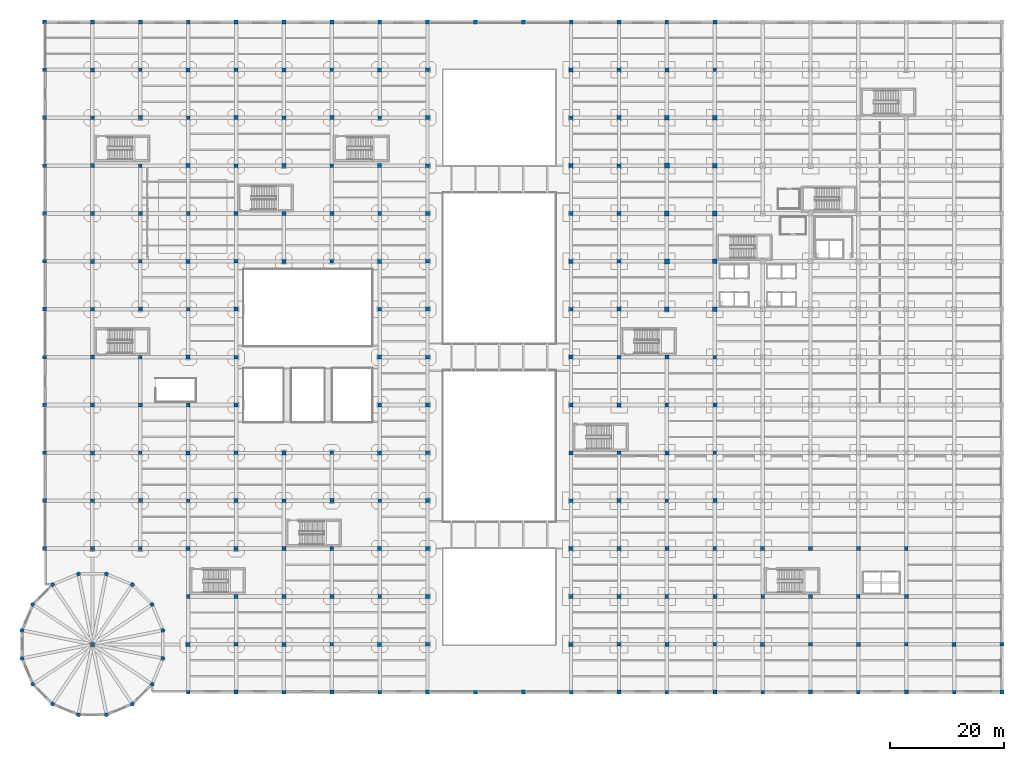
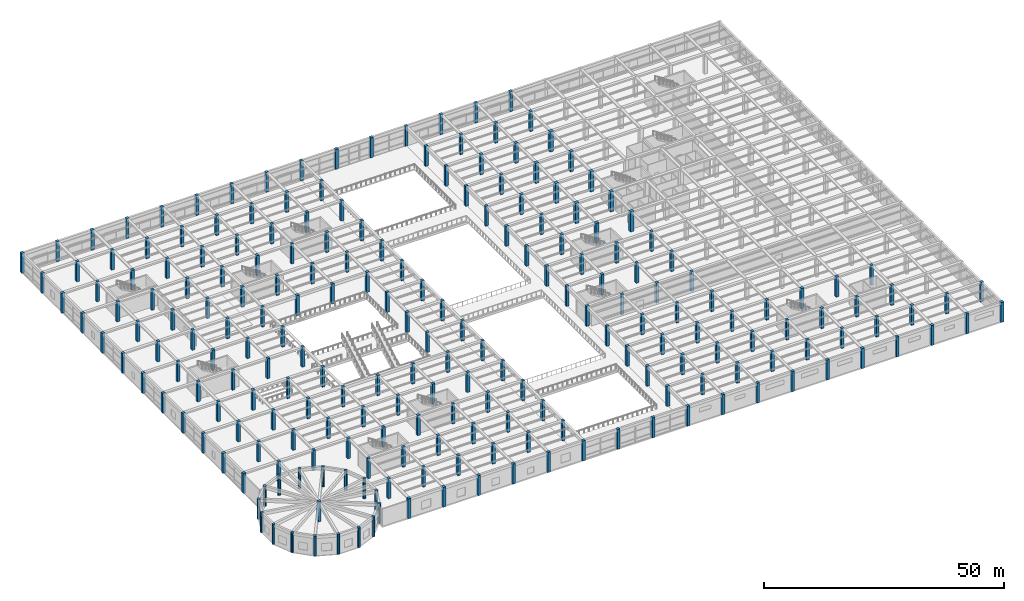
# One storey, part 1 of 65: 221 columns.
"""IFC4 building model written with IfcOpenShell, lengths in metres."""

from ifc_helpers import new_model, si_unit, direction, frame, origin, origin_2d, place, context, subcontext, project, spatial, rectangle, circle, extrude, material, material_profile, profile_set, type_object, element, save


model = new_model("IFC4")

# Units and contexts
model_context = context("Model", 3, precision=1e-05, world=origin(), true_north=direction((0.0, 1.0)))
body_context = subcontext(model_context, "Body", "Model", "MODEL_VIEW")
ifc_project = project(units=[si_unit("LENGTHUNIT", "METRE"), si_unit("AREAUNIT", "SQUARE_METRE"), si_unit("VOLUMEUNIT", "CUBIC_METRE"), si_unit("PLANEANGLEUNIT", "RADIAN"), si_unit("MASSUNIT", "GRAM", prefix="KILO")], contexts=[model_context])

# Site, building, storey
site_placement = place(None, origin())
site = spatial("IfcSite", under=ifc_project, at=site_placement, CompositionType="ELEMENT")
building_placement = place(site_placement, origin())
building = spatial("IfcBuilding", under=site, at=building_placement, Name="Almacenes y Pasaje Nevantli", CompositionType="ELEMENT")
storey_placement = place(building_placement, frame((0.0, 0.0, 16.800048828125)))
storey = spatial("IfcBuildingStorey", under=building, at=storey_placement, Name="L04", CompositionType="ELEMENT", Elevation=16.800048828125)

# Columns
ifc_material_1 = material(Name="Concrete C45/55", Category="concrete")
ifc_material_profile_1 = material_profile(ifc_material_1, rectangle(XDim=0.64990234375, YDim=0.64990234375, at=origin_2d()), Name="RC-COL-650x650")
ifc_profile_set_1 = profile_set([ifc_material_profile_1], Name="Concrete C45/55")
column_type_1 = type_object("IfcColumnType", Name="COL-RC-650", PredefinedType="COLUMN", material=ifc_profile_set_1)
for number, where, z_axis, x_axis, name in (
    (1, (0.0, 25.199951171875, 0.0), (0.0, 0.0, 1.0), (1.0, 0.0, 0.0), "L04 Reinforced Concrete Column CL-07 #1571"),
    (2, (0.0, 42.0, 0.0), (0.0, 0.0, 1.0), (1.0, 0.0, 0.0), "L04 Reinforced Concrete Column CL-07 #1573"),
    (3, (0.0, 58.800048828125, 0.0), (0.0, 0.0, 1.0), (1.0, 0.0, 0.0), "L04 Reinforced Concrete Column CL-07 #1575"),
    (4, (0.0, 75.60009765625, 0.0), (0.0, 0.0, 1.0), (1.0, 0.0, 0.0), "L04 Reinforced Concrete Column CL-07 #1577"),
    (5, (0.0, 92.39990234375, 0.0), (0.0, 0.0, 1.0), (1.0, 0.0, 0.0), "L04 Reinforced Concrete Column CL-07 #1579"),
    (6, (0.0, 109.199951171875, 0.0), (0.0, 0.0, 1.0), (1.0, 0.0, 0.0), "L04 Reinforced Concrete Column CL-07 #1581"),
    (7, (8.39990234375, 33.60009765625, 0.0), (0.0, 0.0, 1.0), (1.0, 0.0, 0.0), "L04 Reinforced Concrete Column CL-07 #1585"),
    (8, (8.39990234375, 50.39990234375, 0.0), (0.0, 0.0, 1.0), (1.0, 0.0, 0.0), "L04 Reinforced Concrete Column CL-07 #1587"),
    (9, (8.39990234375, 67.199951171875, 0.0), (0.0, 0.0, 1.0), (1.0, 0.0, 0.0), "L04 Reinforced Concrete Column CL-07 #1589"),
    (10, (8.39990234375, 84.0, 0.0), (0.0, 0.0, 1.0), (1.0, 0.0, 0.0), "L04 Reinforced Concrete Column CL-07 #1591"),
    (11, (8.39990234375, 100.800048828125, 0.0), (0.0, 0.0, 1.0), (1.0, 0.0, 0.0), "L04 Reinforced Concrete Column CL-07 #1593"),
    (12, (8.39990234375, 117.60009765625, 0.0), (0.0, 0.0, 1.0), (1.0, 0.0, 0.0), "L04 Reinforced Concrete Column CL-07 #1595"),
    (13, (16.800048828125, 25.199951171875, 0.0), (0.0, 0.0, 1.0), (1.0, 0.0, 0.0), "L04 Reinforced Concrete Column CL-07 #1596"),
    (14, (16.800048828125, 42.0, 0.0), (0.0, 0.0, 1.0), (1.0, 0.0, 0.0), "L04 Reinforced Concrete Column CL-07 #1598"),
    (15, (16.800048828125, 58.800048828125, 0.0), (0.0, 0.0, 1.0), (1.0, 0.0, 0.0), "L04 Reinforced Concrete Column CL-07 #1600"),
    (16, (16.800048828125, 75.60009765625, 0.0), (0.0, 0.0, 1.0), (1.0, 0.0, 0.0), "L04 Reinforced Concrete Column CL-07 #1602"),
    (17, (16.800048828125, 92.39990234375, 0.0), (0.0, 0.0, 1.0), (1.0, 0.0, 0.0), "L04 Reinforced Concrete Column CL-07 #1604"),
    (18, (16.800048828125, 109.199951171875, 0.0), (0.0, 0.0, 1.0), (1.0, 0.0, 0.0), "L04 Reinforced Concrete Column CL-07 #1606"),
    (19, (25.199951171875, 0.0, 0.0), (0.0, 0.0, 1.0), (1.0, 0.0, 0.0), "L04 Reinforced Concrete Column CL-07 #1608"),
    (20, (25.199951171875, 16.800048828125, 0.0), (0.0, 0.0, 1.0), (1.0, 0.0, 0.0), "L04 Reinforced Concrete Column CL-07 #1610"),
    (21, (25.199951171875, 33.60009765625, 0.0), (0.0, 0.0, 1.0), (1.0, 0.0, 0.0), "L04 Reinforced Concrete Column CL-07 #1612"),
    (22, (25.199951171875, 50.39990234375, 0.0), (0.0, 0.0, 1.0), (1.0, 0.0, 0.0), "L04 Reinforced Concrete Column CL-07 #1614"),
    (23, (25.199951171875, 67.199951171875, 0.0), (0.0, 0.0, 1.0), (1.0, 0.0, 0.0), "L04 Reinforced Concrete Column CL-07 #1616"),
    (24, (25.199951171875, 84.0, 0.0), (0.0, 0.0, 1.0), (1.0, 0.0, 0.0), "L04 Reinforced Concrete Column CL-07 #1618"),
    (25, (25.199951171875, 100.800048828125, 0.0), (0.0, 0.0, 1.0), (1.0, 0.0, 0.0), "L04 Reinforced Concrete Column CL-07 #1620"),
    (26, (25.199951171875, 117.60009765625, 0.0), (0.0, 0.0, 1.0), (1.0, 0.0, 0.0), "L04 Reinforced Concrete Column CL-07 #1622"),
    (27, (33.60009765625, 8.39990234375, 0.0), (0.0, 0.0, 1.0), (1.0, 0.0, 0.0), "L04 Reinforced Concrete Column CL-07 #1624"),
    (28, (33.60009765625, 25.199951171875, 0.0), (0.0, 0.0, 1.0), (1.0, 0.0, 0.0), "L04 Reinforced Concrete Column CL-07 #1626"),
    (29, (33.60009765625, 42.0, 0.0), (0.0, 0.0, 1.0), (1.0, 0.0, 0.0), "L04 Reinforced Concrete Column CL-07 #1628"),
    (30, (33.60009765625, 58.800048828125, 0.0), (0.0, 0.0, 1.0), (1.0, 0.0, 0.0), "L04 Reinforced Concrete Column CL-07 #1630"),
    (31, (33.60009765625, 75.60009765625, 0.0), (0.0, 0.0, 1.0), (1.0, 0.0, 0.0), "L04 Reinforced Concrete Column CL-07 #1632"),
    (32, (33.60009765625, 92.39990234375, 0.0), (0.0, 0.0, 1.0), (1.0, 0.0, 0.0), "L04 Reinforced Concrete Column CL-07 #1634"),
    (33, (33.60009765625, 109.199951171875, 0.0), (0.0, 0.0, 1.0), (1.0, 0.0, 0.0), "L04 Reinforced Concrete Column CL-07 #1636"),
    (34, (42.0, 0.0, 0.0), (0.0, 0.0, 1.0), (1.0, 0.0, 0.0), "L04 Reinforced Concrete Column CL-07 #1638"),
    (35, (42.0, 16.800048828125, 0.0), (0.0, 0.0, 1.0), (1.0, 0.0, 0.0), "L04 Reinforced Concrete Column CL-07 #1640"),
    (36, (42.0, 33.60009765625, 0.0), (0.0, 0.0, 1.0), (1.0, 0.0, 0.0), "L04 Reinforced Concrete Column CL-07 #1642"),
    (37, (42.0, 84.0, 0.0), (0.0, 0.0, 1.0), (1.0, 0.0, 0.0), "L04 Reinforced Concrete Column CL-07 #1645"),
    (38, (42.0, 100.800048828125, 0.0), (0.0, 0.0, 1.0), (1.0, 0.0, 0.0), "L04 Reinforced Concrete Column CL-07 #1647"),
    (39, (42.0, 117.60009765625, 0.0), (0.0, 0.0, 1.0), (1.0, 0.0, 0.0), "L04 Reinforced Concrete Column CL-07 #1649"),
    (40, (50.39990234375, 8.39990234375, 0.0), (0.0, 0.0, 1.0), (1.0, 0.0, 0.0), "L04 Reinforced Concrete Column CL-07 #1651"),
    (41, (50.39990234375, 25.199951171875, 0.0), (0.0, 0.0, 1.0), (1.0, 0.0, 0.0), "L04 Reinforced Concrete Column CL-07 #1653"),
    (42, (50.39990234375, 42.0, 0.0), (0.0, 0.0, 1.0), (1.0, 0.0, 0.0), "L04 Reinforced Concrete Column CL-07 #1655"),
    (43, (50.39990234375, 75.60009765625, 0.0), (0.0, 0.0, 1.0), (1.0, 0.0, 0.0), "L04 Reinforced Concrete Column CL-07 #1656"),
    (44, (50.39990234375, 92.39990234375, 0.0), (0.0, 0.0, 1.0), (1.0, 0.0, 0.0), "L04 Reinforced Concrete Column CL-07 #1658"),
    (45, (50.39990234375, 109.199951171875, 0.0), (0.0, 0.0, 1.0), (1.0, 0.0, 0.0), "L04 Reinforced Concrete Column CL-07 #1660"),
    (46, (58.800048828125, 0.0, 0.0), (0.0, 0.0, 1.0), (1.0, 0.0, 0.0), "L04 Reinforced Concrete Column CL-07 #1662"),
    (47, (58.800048828125, 16.800048828125, 0.0), (0.0, 0.0, 1.0), (1.0, 0.0, 0.0), "L04 Reinforced Concrete Column CL-07 #1664"),
    (48, (58.800048828125, 33.60009765625, 0.0), (0.0, 0.0, 1.0), (1.0, 0.0, 0.0), "L04 Reinforced Concrete Column CL-07 #1666"),
    (49, (58.800048828125, 50.39990234375, 0.0), (0.0, 0.0, 1.0), (1.0, 0.0, 0.0), "L04 Reinforced Concrete Column CL-07 #1668"),
    (50, (58.800048828125, 67.199951171875, 0.0), (0.0, 0.0, 1.0), (1.0, 0.0, 0.0), "L04 Reinforced Concrete Column CL-07 #1670"),
    (51, (58.800048828125, 84.0, 0.0), (0.0, 0.0, 1.0), (1.0, 0.0, 0.0), "L04 Reinforced Concrete Column CL-07 #1672"),
    (52, (58.800048828125, 100.800048828125, 0.0), (0.0, 0.0, 1.0), (1.0, 0.0, 0.0), "L04 Reinforced Concrete Column CL-07 #1674"),
    (53, (58.800048828125, 117.60009765625, 0.0), (0.0, 0.0, 1.0), (1.0, 0.0, 0.0), "L04 Reinforced Concrete Column CL-07 #1676"),
    (54, (67.199951171875, 8.39990234375, 0.0), (0.0, 0.0, 1.0), (1.0, 0.0, 0.0), "L04 Reinforced Concrete Column CL-07 #1678"),
    (55, (67.199951171875, 25.199951171875, 0.0), (0.0, 0.0, 1.0), (1.0, 0.0, 0.0), "L04 Reinforced Concrete Column CL-07 #1680"),
    (56, (67.199951171875, 42.0, 0.0), (0.0, 0.0, 1.0), (1.0, 0.0, 0.0), "L04 Reinforced Concrete Column CL-07 #1682"),
    (57, (67.199951171875, 58.800048828125, 0.0), (0.0, 0.0, 1.0), (1.0, 0.0, 0.0), "L04 Reinforced Concrete Column CL-07 #1684"),
    (58, (67.199951171875, 75.60009765625, 0.0), (0.0, 0.0, 1.0), (1.0, 0.0, 0.0), "L04 Reinforced Concrete Column CL-07 #1686"),
    (59, (67.199951171875, 92.39990234375, 0.0), (0.0, 0.0, 1.0), (1.0, 0.0, 0.0), "L04 Reinforced Concrete Column CL-07 #1688"),
    (60, (67.199951171875, 109.199951171875, 0.0), (0.0, 0.0, 1.0), (1.0, 0.0, 0.0), "L04 Reinforced Concrete Column CL-07 #1690"),
    (61, (75.60009765625, 0.0, 0.0), (0.0, 0.0, 1.0), (1.0, 0.0, 0.0), "L04 Reinforced Concrete Column CL-07 #1692"),
    (62, (75.60009765625, 117.60009765625, 0.0), (0.0, 0.0, 1.0), (1.0, 0.0, 0.0), "L04 Reinforced Concrete Column CL-07 #1693"),
    (63, (92.39990234375, 0.0, 0.0), (0.0, 0.0, 1.0), (1.0, 0.0, 0.0), "L04 Reinforced Concrete Column CL-07 #1696"),
    (64, (92.39990234375, 16.800048828125, 0.0), (0.0, 0.0, 1.0), (1.0, 0.0, 0.0), "L04 Reinforced Concrete Column CL-07 #1698"),
    (65, (92.39990234375, 33.60009765625, 0.0), (0.0, 0.0, 1.0), (1.0, 0.0, 0.0), "L04 Reinforced Concrete Column CL-07 #1700"),
    (66, (92.39990234375, 50.39990234375, 0.0), (0.0, 0.0, 1.0), (1.0, 0.0, 0.0), "L04 Reinforced Concrete Column CL-07 #1702"),
    (67, (92.39990234375, 67.199951171875, 0.0), (0.0, 0.0, 1.0), (1.0, 0.0, 0.0), "L04 Reinforced Concrete Column CL-07 #1704"),
    (68, (92.39990234375, 84.0, 0.0), (0.0, 0.0, 1.0), (1.0, 0.0, 0.0), "L04 Reinforced Concrete Column CL-07 #1706"),
    (69, (92.39990234375, 100.800048828125, 0.0), (0.0, 0.0, 1.0), (1.0, 0.0, 0.0), "L04 Reinforced Concrete Column CL-07 #1708"),
    (70, (92.39990234375, 117.60009765625, 0.0), (0.0, 0.0, 1.0), (1.0, 0.0, 0.0), "L04 Reinforced Concrete Column CL-07 #1710"),
    (71, (100.800048828125, 8.39990234375, 0.0), (0.0, 0.0, 1.0), (1.0, 0.0, 0.0), "L04 Reinforced Concrete Column CL-07 #1712"),
    (72, (100.800048828125, 25.199951171875, 0.0), (0.0, 0.0, 1.0), (1.0, 0.0, 0.0), "L04 Reinforced Concrete Column CL-07 #1714"),
    (73, (100.800048828125, 42.0, 0.0), (0.0, 0.0, 1.0), (1.0, 0.0, 0.0), "L04 Reinforced Concrete Column CL-07 #1716"),
    (74, (100.800048828125, 58.800048828125, 0.0), (0.0, 0.0, 1.0), (1.0, 0.0, 0.0), "L04 Reinforced Concrete Column CL-07 #1718"),
    (75, (100.800048828125, 75.60009765625, 0.0), (0.0, 0.0, 1.0), (1.0, 0.0, 0.0), "L04 Reinforced Concrete Column CL-07 #1720"),
    (76, (100.800048828125, 92.39990234375, 0.0), (0.0, 0.0, 1.0), (1.0, 0.0, 0.0), "L04 Reinforced Concrete Column CL-07 #1722"),
    (77, (100.800048828125, 109.199951171875, 0.0), (0.0, 0.0, 1.0), (1.0, 0.0, 0.0), "L04 Reinforced Concrete Column CL-07 #1724"),
    (78, (109.199951171875, 0.0, 0.0), (0.0, 0.0, 1.0), (1.0, 0.0, 0.0), "L04 Reinforced Concrete Column CL-07 #1726"),
    (79, (109.199951171875, 16.800048828125, 0.0), (0.0, 0.0, 1.0), (1.0, 0.0, 0.0), "L04 Reinforced Concrete Column CL-07 #1728"),
    (80, (109.199951171875, 33.60009765625, 0.0), (0.0, 0.0, 1.0), (1.0, 0.0, 0.0), "L04 Reinforced Concrete Column CL-07 #1730"),
    (81, (109.199951171875, 50.39990234375, 0.0), (0.0, 0.0, 1.0), (1.0, 0.0, 0.0), "L04 Reinforced Concrete Column CL-07 #1732"),
    (82, (109.199951171875, 117.60009765625, 0.0), (0.0, 0.0, 1.0), (1.0, 0.0, 0.0), "L04 Reinforced Concrete Column CL-07 #1740"),
    (83, (117.60009765625, 8.39990234375, 0.0), (0.0, 0.0, 1.0), (1.0, 0.0, 0.0), "L04 Reinforced Concrete Column CL-07 #1742"),
    (84, (117.60009765625, 25.199951171875, 0.0), (0.0, 0.0, 1.0), (1.0, 0.0, 0.0), "L04 Reinforced Concrete Column CL-07 #1744"),
    (85, (117.60009765625, 42.0, 0.0), (0.0, 0.0, 1.0), (1.0, 0.0, 0.0), "L04 Reinforced Concrete Column CL-07 #1746"),
    (86, (117.60009765625, 58.800048828125, 0.0), (0.0, 0.0, 1.0), (1.0, 0.0, 0.0), "L04 Reinforced Concrete Column CL-07 #1748"),
    (87, (117.60009765625, 109.199951171875, 0.0), (0.0, 0.0, 1.0), (1.0, 0.0, 0.0), "L04 Reinforced Concrete Column CL-07 #1754"),
    (88, (126.0, 0.0, 0.0), (0.0, 0.0, 1.0), (1.0, 0.0, 0.0), "L04 Reinforced Concrete Column CL-07 #1756"),
    (89, (126.0, 16.800048828125, 0.0), (0.0, 0.0, 1.0), (1.0, 0.0, 0.0), "L04 Reinforced Concrete Column CL-07 #1758"),
    (90, (134.39990234375, 8.39990234375, 0.0), (0.0, 0.0, 1.0), (1.0, 0.0, 0.0), "L04 Reinforced Concrete Column CL-07 #1772"),
    (91, (134.39990234375, 25.199951171875, 0.0), (0.0, 0.0, 1.0), (1.0, 0.0, 0.0), "L04 Reinforced Concrete Column CL-07 #1774"),
    (92, (142.800048828125, 0.0, 0.0), (0.0, 0.0, 1.0), (1.0, 0.0, 0.0), "L04 Reinforced Concrete Column CL-07 #1786"),
    (93, (142.800048828125, 16.800048828125, 0.0), (0.0, 0.0, 1.0), (1.0, 0.0, 0.0), "L04 Reinforced Concrete Column CL-07 #1788"),
    (94, (151.199951171875, 8.39990234375, 0.0), (0.0, 0.0, 1.0), (1.0, 0.0, 0.0), "L04 Reinforced Concrete Column CL-07 #1802"),
    (95, (151.199951171875, 25.199951171875, 0.0), (0.0, 0.0, 1.0), (1.0, 0.0, 0.0), "L04 Reinforced Concrete Column CL-07 #1804"),
    (96, (159.60009765625, 0.0, 0.0), (0.0, 0.0, 1.0), (1.0, 0.0, 0.0), "L04 Reinforced Concrete Column CL-07 #1816"),
    (97, (168.0, 8.39990234375, 0.0), (0.0, 0.0, 1.0), (1.0, 0.0, 0.0), "L04 Reinforced Concrete Column CL-07 #1832"),
):
    element("IfcColumn", number, at=place(storey_placement, frame(where, z_axis=z_axis, x_axis=x_axis)), inside=storey, type_object=column_type_1, Name=name, PredefinedType="COLUMN", context=body_context, shape_type="SweptSolid", body=[
        extrude(rectangle(XDim=0.64990234375, YDim=0.64990234375, at=origin_2d()), origin(), (0.0, 0.0, 1.0), 5.099853515625),
    ])
ifc_material_2 = material(Name="Concrete C45/55", Category="concrete")
ifc_material_profile_2 = material_profile(ifc_material_2, rectangle(XDim=0.699951171875, YDim=0.699951171875, at=origin_2d()), Name="RC-COL-700x700")
ifc_profile_set_2 = profile_set([ifc_material_profile_2], Name="Concrete C45/55")
column_type_2 = type_object("IfcColumnType", Name="COL-RC-700", PredefinedType="COLUMN", material=ifc_profile_set_2)
for number, where, z_axis, x_axis, name in (
    (98, (0.0, 33.60009765625, 0.0), (0.0, 0.0, 1.0), (1.0, 0.0, 0.0), "L04 Reinforced Concrete Column CL-06 #1572"),
    (99, (0.0, 50.39990234375, 0.0), (0.0, 0.0, 1.0), (1.0, 0.0, 0.0), "L04 Reinforced Concrete Column CL-06 #1574"),
    (100, (0.0, 67.199951171875, 0.0), (0.0, 0.0, 1.0), (1.0, 0.0, 0.0), "L04 Reinforced Concrete Column CL-06 #1576"),
    (101, (0.0, 84.0, 0.0), (0.0, 0.0, 1.0), (1.0, 0.0, 0.0), "L04 Reinforced Concrete Column CL-06 #1578"),
    (102, (0.0, 100.800048828125, 0.0), (0.0, 0.0, 1.0), (1.0, 0.0, 0.0), "L04 Reinforced Concrete Column CL-06 #1580"),
    (103, (0.0, 117.60009765625, 0.0), (0.0, 0.0, 1.0), (1.0, 0.0, 0.0), "L04 Reinforced Concrete Column CL-06 #1582"),
    (104, (8.39990234375, 8.39990234375, 0.0), (0.0, 0.0, 1.0), (1.0, 0.0, 0.0), "L04 Reinforced Concrete Column CL-06 #1583"),
    (105, (8.39990234375, 25.199951171875, 0.0), (0.0, 0.0, 1.0), (1.0, 0.0, 0.0), "L04 Reinforced Concrete Column CL-06 #1584"),
    (106, (8.39990234375, 42.0, 0.0), (0.0, 0.0, 1.0), (1.0, 0.0, 0.0), "L04 Reinforced Concrete Column CL-06 #1586"),
    (107, (8.39990234375, 58.800048828125, 0.0), (0.0, 0.0, 1.0), (1.0, 0.0, 0.0), "L04 Reinforced Concrete Column CL-06 #1588"),
    (108, (8.39990234375, 75.60009765625, 0.0), (0.0, 0.0, 1.0), (1.0, 0.0, 0.0), "L04 Reinforced Concrete Column CL-06 #1590"),
    (109, (8.39990234375, 92.39990234375, 0.0), (0.0, 0.0, 1.0), (1.0, 0.0, 0.0), "L04 Reinforced Concrete Column CL-06 #1592"),
    (110, (8.39990234375, 109.199951171875, 0.0), (0.0, 0.0, 1.0), (1.0, 0.0, 0.0), "L04 Reinforced Concrete Column CL-06 #1594"),
    (111, (16.800048828125, 33.60009765625, 0.0), (0.0, 0.0, 1.0), (1.0, 0.0, 0.0), "L04 Reinforced Concrete Column CL-06 #1597"),
    (112, (16.800048828125, 50.39990234375, 0.0), (0.0, 0.0, 1.0), (1.0, 0.0, 0.0), "L04 Reinforced Concrete Column CL-06 #1599"),
    (113, (16.800048828125, 67.199951171875, 0.0), (0.0, 0.0, 1.0), (1.0, 0.0, 0.0), "L04 Reinforced Concrete Column CL-06 #1601"),
    (114, (16.800048828125, 84.0, 0.0), (0.0, 0.0, 1.0), (1.0, 0.0, 0.0), "L04 Reinforced Concrete Column CL-06 #1603"),
    (115, (16.800048828125, 100.800048828125, 0.0), (0.0, 0.0, 1.0), (1.0, 0.0, 0.0), "L04 Reinforced Concrete Column CL-06 #1605"),
    (116, (16.800048828125, 117.60009765625, 0.0), (0.0, 0.0, 1.0), (1.0, 0.0, 0.0), "L04 Reinforced Concrete Column CL-06 #1607"),
    (117, (25.199951171875, 8.39990234375, 0.0), (0.0, 0.0, 1.0), (1.0, 0.0, 0.0), "L04 Reinforced Concrete Column CL-06 #1609"),
    (118, (25.199951171875, 25.199951171875, 0.0), (0.0, 0.0, 1.0), (1.0, 0.0, 0.0), "L04 Reinforced Concrete Column CL-06 #1611"),
    (119, (25.199951171875, 42.0, 0.0), (0.0, 0.0, 1.0), (1.0, 0.0, 0.0), "L04 Reinforced Concrete Column CL-06 #1613"),
    (120, (25.199951171875, 58.800048828125, 0.0), (0.0, 0.0, 1.0), (1.0, 0.0, 0.0), "L04 Reinforced Concrete Column CL-06 #1615"),
    (121, (25.199951171875, 75.60009765625, 0.0), (0.0, 0.0, 1.0), (1.0, 0.0, 0.0), "L04 Reinforced Concrete Column CL-06 #1617"),
    (122, (25.199951171875, 92.39990234375, 0.0), (0.0, 0.0, 1.0), (1.0, 0.0, 0.0), "L04 Reinforced Concrete Column CL-06 #1619"),
    (123, (25.199951171875, 109.199951171875, 0.0), (0.0, 0.0, 1.0), (1.0, 0.0, 0.0), "L04 Reinforced Concrete Column CL-06 #1621"),
    (124, (33.60009765625, 0.0, 0.0), (0.0, 0.0, 1.0), (1.0, 0.0, 0.0), "L04 Reinforced Concrete Column CL-06 #1623"),
    (125, (33.60009765625, 16.800048828125, 0.0), (0.0, 0.0, 1.0), (1.0, 0.0, 0.0), "L04 Reinforced Concrete Column CL-06 #1625"),
    (126, (33.60009765625, 33.60009765625, 0.0), (0.0, 0.0, 1.0), (1.0, 0.0, 0.0), "L04 Reinforced Concrete Column CL-06 #1627"),
    (127, (33.60009765625, 50.39990234375, 0.0), (0.0, 0.0, 1.0), (1.0, 0.0, 0.0), "L04 Reinforced Concrete Column CL-06 #1629"),
    (128, (33.60009765625, 67.199951171875, 0.0), (0.0, 0.0, 1.0), (1.0, 0.0, 0.0), "L04 Reinforced Concrete Column CL-06 #1631"),
    (129, (33.60009765625, 84.0, 0.0), (0.0, 0.0, 1.0), (1.0, 0.0, 0.0), "L04 Reinforced Concrete Column CL-06 #1633"),
    (130, (33.60009765625, 100.800048828125, 0.0), (0.0, 0.0, 1.0), (1.0, 0.0, 0.0), "L04 Reinforced Concrete Column CL-06 #1635"),
    (131, (33.60009765625, 117.60009765625, 0.0), (0.0, 0.0, 1.0), (1.0, 0.0, 0.0), "L04 Reinforced Concrete Column CL-06 #1637"),
    (132, (42.0, 8.39990234375, 0.0), (0.0, 0.0, 1.0), (1.0, 0.0, 0.0), "L04 Reinforced Concrete Column CL-06 #1639"),
    (133, (42.0, 25.199951171875, 0.0), (0.0, 0.0, 1.0), (1.0, 0.0, 0.0), "L04 Reinforced Concrete Column CL-06 #1641"),
    (134, (42.0, 42.0, 0.0), (0.0, 0.0, 1.0), (1.0, 0.0, 0.0), "L04 Reinforced Concrete Column CL-06 #1643"),
    (135, (42.0, 75.60009765625, 0.0), (0.0, 0.0, 1.0), (1.0, 0.0, 0.0), "L04 Reinforced Concrete Column CL-06 #1644"),
    (136, (42.0, 92.39990234375, 0.0), (0.0, 0.0, 1.0), (1.0, 0.0, 0.0), "L04 Reinforced Concrete Column CL-06 #1646"),
    (137, (42.0, 109.199951171875, 0.0), (0.0, 0.0, 1.0), (1.0, 0.0, 0.0), "L04 Reinforced Concrete Column CL-06 #1648"),
    (138, (50.39990234375, 0.0, 0.0), (0.0, 0.0, 1.0), (1.0, 0.0, 0.0), "L04 Reinforced Concrete Column CL-06 #1650"),
    (139, (50.39990234375, 16.800048828125, 0.0), (0.0, 0.0, 1.0), (1.0, 0.0, 0.0), "L04 Reinforced Concrete Column CL-06 #1652"),
    (140, (50.39990234375, 33.60009765625, 0.0), (0.0, 0.0, 1.0), (1.0, 0.0, 0.0), "L04 Reinforced Concrete Column CL-06 #1654"),
    (141, (50.39990234375, 84.0, 0.0), (0.0, 0.0, 1.0), (1.0, 0.0, 0.0), "L04 Reinforced Concrete Column CL-06 #1657"),
    (142, (50.39990234375, 100.800048828125, 0.0), (0.0, 0.0, 1.0), (1.0, 0.0, 0.0), "L04 Reinforced Concrete Column CL-06 #1659"),
    (143, (50.39990234375, 117.60009765625, 0.0), (0.0, 0.0, 1.0), (1.0, 0.0, 0.0), "L04 Reinforced Concrete Column CL-06 #1661"),
    (144, (58.800048828125, 8.39990234375, 0.0), (0.0, 0.0, 1.0), (1.0, 0.0, 0.0), "L04 Reinforced Concrete Column CL-06 #1663"),
    (145, (58.800048828125, 25.199951171875, 0.0), (0.0, 0.0, 1.0), (1.0, 0.0, 0.0), "L04 Reinforced Concrete Column CL-06 #1665"),
    (146, (58.800048828125, 42.0, 0.0), (0.0, 0.0, 1.0), (1.0, 0.0, 0.0), "L04 Reinforced Concrete Column CL-06 #1667"),
    (147, (58.800048828125, 58.800048828125, 0.0), (0.0, 0.0, 1.0), (1.0, 0.0, 0.0), "L04 Reinforced Concrete Column CL-06 #1669"),
    (148, (58.800048828125, 75.60009765625, 0.0), (0.0, 0.0, 1.0), (1.0, 0.0, 0.0), "L04 Reinforced Concrete Column CL-06 #1671"),
    (149, (58.800048828125, 92.39990234375, 0.0), (0.0, 0.0, 1.0), (1.0, 0.0, 0.0), "L04 Reinforced Concrete Column CL-06 #1673"),
    (150, (58.800048828125, 109.199951171875, 0.0), (0.0, 0.0, 1.0), (1.0, 0.0, 0.0), "L04 Reinforced Concrete Column CL-06 #1675"),
    (151, (67.199951171875, 0.0, 0.0), (0.0, 0.0, 1.0), (1.0, 0.0, 0.0), "L04 Reinforced Concrete Column CL-06 #1677"),
    (152, (67.199951171875, 16.800048828125, 0.0), (0.0, 0.0, 1.0), (1.0, 0.0, 0.0), "L04 Reinforced Concrete Column CL-06 #1679"),
    (153, (67.199951171875, 33.60009765625, 0.0), (0.0, 0.0, 1.0), (1.0, 0.0, 0.0), "L04 Reinforced Concrete Column CL-06 #1681"),
    (154, (67.199951171875, 50.39990234375, 0.0), (0.0, 0.0, 1.0), (1.0, 0.0, 0.0), "L04 Reinforced Concrete Column CL-06 #1683"),
    (155, (67.199951171875, 67.199951171875, 0.0), (0.0, 0.0, 1.0), (1.0, 0.0, 0.0), "L04 Reinforced Concrete Column CL-06 #1685"),
    (156, (67.199951171875, 84.0, 0.0), (0.0, 0.0, 1.0), (1.0, 0.0, 0.0), "L04 Reinforced Concrete Column CL-06 #1687"),
    (157, (67.199951171875, 100.800048828125, 0.0), (0.0, 0.0, 1.0), (1.0, 0.0, 0.0), "L04 Reinforced Concrete Column CL-06 #1689"),
    (158, (67.199951171875, 117.60009765625, 0.0), (0.0, 0.0, 1.0), (1.0, 0.0, 0.0), "L04 Reinforced Concrete Column CL-06 #1691"),
    (159, (84.0, 0.0, 0.0), (0.0, 0.0, 1.0), (1.0, 0.0, 0.0), "L04 Reinforced Concrete Column CL-06 #1694"),
    (160, (84.0, 117.60009765625, 0.0), (0.0, 0.0, 1.0), (1.0, 0.0, 0.0), "L04 Reinforced Concrete Column CL-06 #1695"),
    (161, (92.39990234375, 8.39990234375, 0.0), (0.0, 0.0, 1.0), (1.0, 0.0, 0.0), "L04 Reinforced Concrete Column CL-06 #1697"),
    (162, (92.39990234375, 25.199951171875, 0.0), (0.0, 0.0, 1.0), (1.0, 0.0, 0.0), "L04 Reinforced Concrete Column CL-06 #1699"),
    (163, (92.39990234375, 42.0, 0.0), (0.0, 0.0, 1.0), (1.0, 0.0, 0.0), "L04 Reinforced Concrete Column CL-06 #1701"),
    (164, (92.39990234375, 58.800048828125, 0.0), (0.0, 0.0, 1.0), (1.0, 0.0, 0.0), "L04 Reinforced Concrete Column CL-06 #1703"),
    (165, (92.39990234375, 75.60009765625, 0.0), (0.0, 0.0, 1.0), (1.0, 0.0, 0.0), "L04 Reinforced Concrete Column CL-06 #1705"),
    (166, (92.39990234375, 92.39990234375, 0.0), (0.0, 0.0, 1.0), (1.0, 0.0, 0.0), "L04 Reinforced Concrete Column CL-06 #1707"),
    (167, (92.39990234375, 109.199951171875, 0.0), (0.0, 0.0, 1.0), (1.0, 0.0, 0.0), "L04 Reinforced Concrete Column CL-06 #1709"),
    (168, (100.800048828125, 0.0, 0.0), (0.0, 0.0, 1.0), (1.0, 0.0, 0.0), "L04 Reinforced Concrete Column CL-06 #1711"),
    (169, (100.800048828125, 16.800048828125, 0.0), (0.0, 0.0, 1.0), (1.0, 0.0, 0.0), "L04 Reinforced Concrete Column CL-06 #1713"),
    (170, (100.800048828125, 33.60009765625, 0.0), (0.0, 0.0, 1.0), (1.0, 0.0, 0.0), "L04 Reinforced Concrete Column CL-06 #1715"),
    (171, (100.800048828125, 50.39990234375, 0.0), (0.0, 0.0, 1.0), (1.0, 0.0, 0.0), "L04 Reinforced Concrete Column CL-06 #1717"),
    (172, (100.800048828125, 67.199951171875, 0.0), (0.0, 0.0, 1.0), (1.0, 0.0, 0.0), "L04 Reinforced Concrete Column CL-06 #1719"),
    (173, (100.800048828125, 84.0, 0.0), (0.0, 0.0, 1.0), (1.0, 0.0, 0.0), "L04 Reinforced Concrete Column CL-06 #1721"),
    (174, (100.800048828125, 100.800048828125, 0.0), (0.0, 0.0, 1.0), (1.0, 0.0, 0.0), "L04 Reinforced Concrete Column CL-06 #1723"),
    (175, (100.800048828125, 117.60009765625, 0.0), (0.0, 0.0, 1.0), (1.0, 0.0, 0.0), "L04 Reinforced Concrete Column CL-06 #1725"),
    (176, (109.199951171875, 8.39990234375, 0.0), (0.0, 0.0, 1.0), (1.0, 0.0, 0.0), "L04 Reinforced Concrete Column CL-06 #1727"),
    (177, (109.199951171875, 25.199951171875, 0.0), (0.0, 0.0, 1.0), (1.0, 0.0, 0.0), "L04 Reinforced Concrete Column CL-06 #1729"),
    (178, (109.199951171875, 42.0, 0.0), (0.0, 0.0, 1.0), (1.0, 0.0, 0.0), "L04 Reinforced Concrete Column CL-06 #1731"),
    (179, (109.199951171875, 58.800048828125, 0.0), (0.0, 0.0, 1.0), (1.0, 0.0, 0.0), "L04 Reinforced Concrete Column CL-06 #1733"),
    (180, (109.199951171875, 109.199951171875, 0.0), (0.0, 0.0, 1.0), (1.0, 0.0, 0.0), "L04 Reinforced Concrete Column CL-06 #1739"),
    (181, (117.60009765625, 0.0, 0.0), (0.0, 0.0, 1.0), (1.0, 0.0, 0.0), "L04 Reinforced Concrete Column CL-06 #1741"),
    (182, (117.60009765625, 16.800048828125, 0.0), (0.0, 0.0, 1.0), (1.0, 0.0, 0.0), "L04 Reinforced Concrete Column CL-06 #1743"),
    (183, (117.60009765625, 33.60009765625, 0.0), (0.0, 0.0, 1.0), (1.0, 0.0, 0.0), "L04 Reinforced Concrete Column CL-06 #1745"),
    (184, (117.60009765625, 50.39990234375, 0.0), (0.0, 0.0, 1.0), (1.0, 0.0, 0.0), "L04 Reinforced Concrete Column CL-06 #1747"),
    (185, (117.60009765625, 117.60009765625, 0.0), (0.0, 0.0, 1.0), (1.0, 0.0, 0.0), "L04 Reinforced Concrete Column CL-06 #1755"),
    (186, (126.0, 8.39990234375, 0.0), (0.0, 0.0, 1.0), (1.0, 0.0, 0.0), "L04 Reinforced Concrete Column CL-06 #1757"),
    (187, (126.0, 25.199951171875, 0.0), (0.0, 0.0, 1.0), (1.0, 0.0, 0.0), "L04 Reinforced Concrete Column CL-06 #1759"),
    (188, (134.39990234375, 0.0, 0.0), (0.0, 0.0, 1.0), (1.0, 0.0, 0.0), "L04 Reinforced Concrete Column CL-06 #1771"),
    (189, (134.39990234375, 16.800048828125, 0.0), (0.0, 0.0, 1.0), (1.0, 0.0, 0.0), "L04 Reinforced Concrete Column CL-06 #1773"),
    (190, (142.800048828125, 8.39990234375, 0.0), (0.0, 0.0, 1.0), (1.0, 0.0, 0.0), "L04 Reinforced Concrete Column CL-06 #1787"),
    (191, (142.800048828125, 25.199951171875, 0.0), (0.0, 0.0, 1.0), (1.0, 0.0, 0.0), "L04 Reinforced Concrete Column CL-06 #1789"),
    (192, (151.199951171875, 0.0, 0.0), (0.0, 0.0, 1.0), (1.0, 0.0, 0.0), "L04 Reinforced Concrete Column CL-06 #1801"),
    (193, (151.199951171875, 16.800048828125, 0.0), (0.0, 0.0, 1.0), (1.0, 0.0, 0.0), "L04 Reinforced Concrete Column CL-06 #1803"),
    (194, (159.60009765625, 8.39990234375, 0.0), (0.0, 0.0, 1.0), (1.0, 0.0, 0.0), "L04 Reinforced Concrete Column CL-06 #1817"),
    (195, (168.0, 0.0, 0.0), (0.0, 0.0, 1.0), (1.0, 0.0, 0.0), "L04 Reinforced Concrete Column CL-06 #1831"),
):
    element("IfcColumn", number, at=place(storey_placement, frame(where, z_axis=z_axis, x_axis=x_axis)), inside=storey, type_object=column_type_2, Name=name, PredefinedType="COLUMN", context=body_context, shape_type="SweptSolid", body=[
        extrude(rectangle(XDim=0.699951171875, YDim=0.699951171875, at=origin_2d()), origin(), (0.0, 0.0, 1.0), 5.099853515625),
    ])
ifc_material_3 = material(Name="Concrete C45/55", Category="concrete")
ifc_material_profile_3 = material_profile(ifc_material_3, rectangle(XDim=0.800048828125, YDim=0.800048828125, at=origin_2d()), Name="RC-COL-800x800")
ifc_profile_set_3 = profile_set([ifc_material_profile_3], Name="Concrete C45/55")
column_type_3 = type_object("IfcColumnType", Name="COL-RC-800", PredefinedType="COLUMN", material=ifc_profile_set_3)
for number, where, z_axis, x_axis, name in (
    (196, (109.199951171875, 67.199951171875, 0.0), (0.0, 0.0, 1.0), (1.0, 0.0, 0.0), "L04 Reinforced Concrete Column CL-04 #1734"),
    (197, (109.199951171875, 84.0, 0.0), (0.0, 0.0, 1.0), (1.0, 0.0, 0.0), "L04 Reinforced Concrete Column CL-04 #1736"),
    (198, (109.199951171875, 100.800048828125, 0.0), (0.0, 0.0, 1.0), (1.0, 0.0, 0.0), "L04 Reinforced Concrete Column CL-04 #1738"),
    (199, (117.60009765625, 75.60009765625, 0.0), (0.0, 0.0, 1.0), (1.0, 0.0, 0.0), "L04 Reinforced Concrete Column CL-04 #1750"),
    (200, (117.60009765625, 92.39990234375, 0.0), (0.0, 0.0, 1.0), (1.0, 0.0, 0.0), "L04 Reinforced Concrete Column CL-04 #1752"),
):
    element("IfcColumn", number, at=place(storey_placement, frame(where, z_axis=z_axis, x_axis=x_axis)), inside=storey, type_object=column_type_3, Name=name, PredefinedType="COLUMN", context=body_context, shape_type="SweptSolid", body=[
        extrude(rectangle(XDim=0.800048828125, YDim=0.800048828125, at=origin_2d()), origin(), (0.0, 0.0, 1.0), 5.099853515625),
    ])
ifc_material_4 = material(Name="Concrete C45/55", Category="concrete")
ifc_material_profile_4 = material_profile(ifc_material_4, rectangle(XDim=0.85009765625, YDim=0.85009765625, at=origin_2d()), Name="RC-COL-850x850")
ifc_profile_set_4 = profile_set([ifc_material_profile_4], Name="Concrete C45/55")
column_type_4 = type_object("IfcColumnType", Name="COL-RC-850", PredefinedType="COLUMN", material=ifc_profile_set_4)
for number, where, z_axis, x_axis, name in (
    (201, (109.199951171875, 75.60009765625, 0.0), (0.0, 0.0, 1.0), (1.0, 0.0, 0.0), "L04 Reinforced Concrete Column CL-03 #1735"),
    (202, (109.199951171875, 92.39990234375, 0.0), (0.0, 0.0, 1.0), (1.0, 0.0, 0.0), "L04 Reinforced Concrete Column CL-03 #1737"),
    (203, (117.60009765625, 67.199951171875, 0.0), (0.0, 0.0, 1.0), (1.0, 0.0, 0.0), "L04 Reinforced Concrete Column CL-03 #1749"),
    (204, (117.60009765625, 84.0, 0.0), (0.0, 0.0, 1.0), (1.0, 0.0, 0.0), "L04 Reinforced Concrete Column CL-03 #1751"),
    (205, (117.60009765625, 100.800048828125, 0.0), (0.0, 0.0, 1.0), (1.0, 0.0, 0.0), "L04 Reinforced Concrete Column CL-03 #1753"),
):
    element("IfcColumn", number, at=place(storey_placement, frame(where, z_axis=z_axis, x_axis=x_axis)), inside=storey, type_object=column_type_4, Name=name, PredefinedType="COLUMN", context=body_context, shape_type="SweptSolid", body=[
        extrude(rectangle(XDim=0.85009765625, YDim=0.85009765625, at=origin_2d()), origin(), (0.0, 0.0, 1.0), 5.099853515625),
    ])
ifc_material_5 = material(Name="Concrete C45/55", Category="concrete")
ifc_material_profile_5 = material_profile(ifc_material_5, circle(Radius=0.35009765625, at=origin_2d()), Name="RC-COL-D700")
ifc_profile_set_5 = profile_set([ifc_material_profile_5], Name="Concrete C45/55")
column_type_5 = type_object("IfcColumnType", Name="COL-RC-D700", PredefinedType="COLUMN", material=ifc_profile_set_5)
for number, where, z_axis, x_axis, name in (
    (206, (20.7578125, 10.858154296875, 0.0), (0.0, 0.0, 1.0), (1.0, 0.0, 0.0), "L04 Corner Rotunda Circular Column CR-01"),
    (207, (18.87646484375, 15.400146484375, 0.0), (0.0, 0.0, 1.0), (1.0, 0.0, 0.0), "L04 Corner Rotunda Circular Column CR-02"),
    (208, (15.400146484375, 18.87646484375, 0.0), (0.0, 0.0, 1.0), (1.0, 0.0, 0.0), "L04 Corner Rotunda Circular Column CR-03"),
    (209, (10.858154296875, 20.7578125, 0.0), (0.0, 0.0, 1.0), (1.0, 0.0, 0.0), "L04 Corner Rotunda Circular Column CR-04"),
    (210, (5.94189453125, 20.7578125, 0.0), (0.0, 0.0, 1.0), (1.0, 0.0, 0.0), "L04 Corner Rotunda Circular Column CR-05"),
    (211, (1.39990234375, 18.87646484375, 0.0), (0.0, 0.0, 1.0), (1.0, 0.0, 0.0), "L04 Corner Rotunda Circular Column CR-06"),
    (212, (-2.076416015625, 15.400146484375, 0.0), (0.0, 0.0, 1.0), (1.0, 0.0, 0.0), "L04 Corner Rotunda Circular Column CR-07"),
    (213, (-3.9580078125, 10.858154296875, 0.0), (0.0, 0.0, 1.0), (1.0, 0.0, 0.0), "L04 Corner Rotunda Circular Column CR-08"),
    (214, (-3.9580078125, 5.94189453125, 0.0), (0.0, 0.0, 1.0), (1.0, 0.0, 0.0), "L04 Corner Rotunda Circular Column CR-09"),
    (215, (-2.076416015625, 1.39990234375, 0.0), (0.0, 0.0, 1.0), (1.0, 0.0, 0.0), "L04 Corner Rotunda Circular Column CR-10"),
    (216, (1.39990234375, -2.076416015625, 0.0), (0.0, 0.0, 1.0), (1.0, 0.0, 0.0), "L04 Corner Rotunda Circular Column CR-11"),
    (217, (5.94189453125, -3.9580078125, 0.0), (0.0, 0.0, 1.0), (1.0, 0.0, 0.0), "L04 Corner Rotunda Circular Column CR-12"),
    (218, (10.858154296875, -3.9580078125, 0.0), (0.0, 0.0, 1.0), (1.0, 0.0, 0.0), "L04 Corner Rotunda Circular Column CR-13"),
    (219, (15.400146484375, -2.076416015625, 0.0), (0.0, 0.0, 1.0), (1.0, 0.0, 0.0), "L04 Corner Rotunda Circular Column CR-14"),
    (220, (18.87646484375, 1.39990234375, 0.0), (0.0, 0.0, 1.0), (1.0, 0.0, 0.0), "L04 Corner Rotunda Circular Column CR-15"),
    (221, (20.7578125, 5.94189453125, 0.0), (0.0, 0.0, 1.0), (1.0, 0.0, 0.0), "L04 Corner Rotunda Circular Column CR-16"),
):
    element("IfcColumn", number, at=place(storey_placement, frame(where, z_axis=z_axis, x_axis=x_axis)), inside=storey, type_object=column_type_5, Name=name, PredefinedType="COLUMN", context=body_context, shape_type="SweptSolid", body=[
        extrude(circle(Radius=0.35009765625, at=origin_2d()), origin(), (0.0, 0.0, 1.0), 5.099853515625),
    ])

save(model, "model.ifc")
